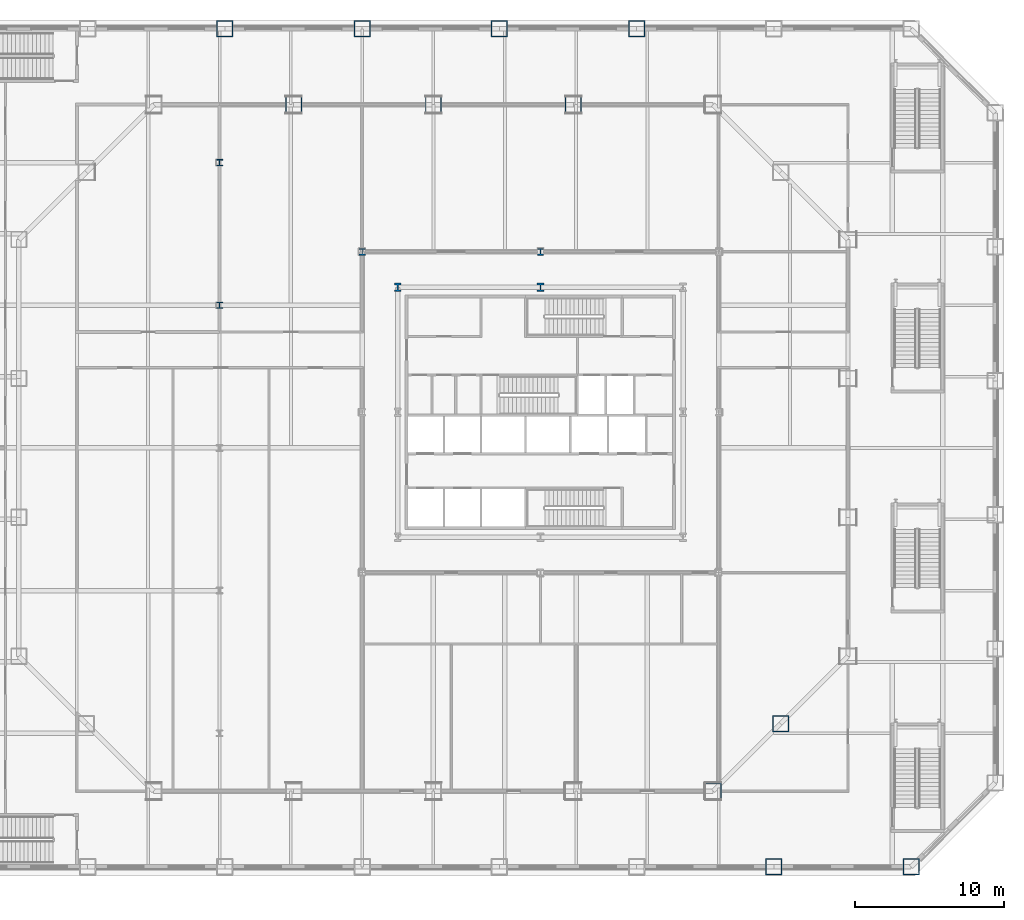
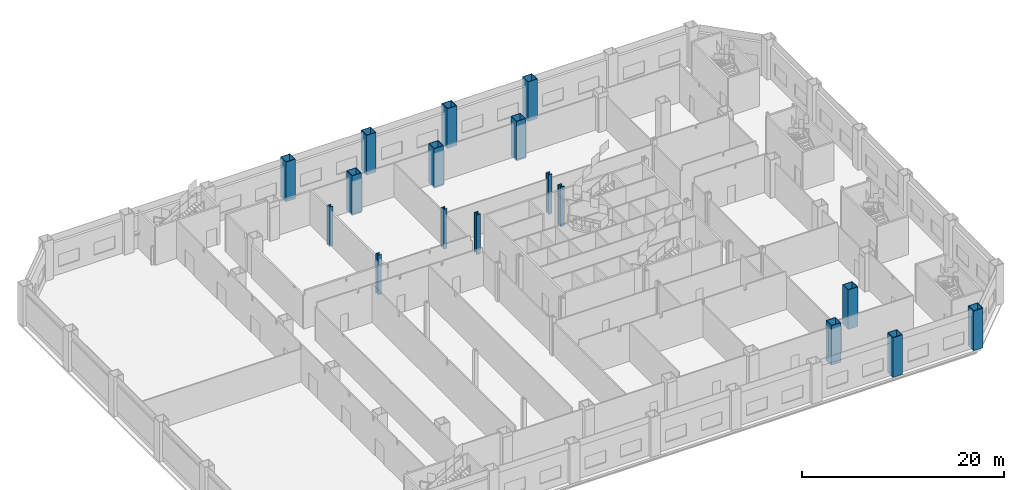
# One storey, part 4 of 25: 17 columns.
"""IFC4 building model written with IfcOpenShell, lengths in metres."""

from ifc_helpers import new_model, si_unit, direction, frame, origin, origin_2d, place, context, subcontext, project, spatial, hollow_rectangle, i_section, extrude, material, material_profile, profile_set, type_object, element, save


model = new_model("IFC4")

# Units and contexts
model_context = context("Model", 3, precision=1e-05, world=origin(), true_north=direction((0.0, 1.0)))
body_context = subcontext(model_context, "Body", "Model", "MODEL_VIEW")
ifc_project = project(units=[si_unit("LENGTHUNIT", "METRE"), si_unit("AREAUNIT", "SQUARE_METRE"), si_unit("VOLUMEUNIT", "CUBIC_METRE"), si_unit("PLANEANGLEUNIT", "RADIAN"), si_unit("MASSUNIT", "GRAM", prefix="KILO")], contexts=[model_context])

# Site, building, storey
site_placement = place(None, origin())
site = spatial("IfcSite", under=ifc_project, at=site_placement, CompositionType="ELEMENT")
building_placement = place(site_placement, origin())
building = spatial("IfcBuilding", under=site, at=building_placement, Name="Cairn Pilgrim Tower", CompositionType="ELEMENT")
storey_placement = place(building_placement, frame((0.0, 0.0, 30.60009765625)))
storey = spatial("IfcBuildingStorey", under=building, at=storey_placement, Name="L05", CompositionType="ELEMENT", Elevation=30.60009765625)

# Columns
ifc_material = material(Name="Structural steel S460M", Category="steel")
ifc_material_profile_1 = material_profile(ifc_material, hollow_rectangle(XDim=1.10009765625, YDim=1.10009765625, WallThickness=0.06005859375, at=origin_2d()), Name="BOX 1100x1100x60")
ifc_profile_set_1 = profile_set([ifc_material_profile_1], Name="Structural steel S460M")
column_type_1 = type_object("IfcColumnType", Name="BOX 1100x1100x60", PredefinedType="COLUMN", material=ifc_profile_set_1)
for number, where, z_axis, x_axis, name in (
    (1, (18.8271484375, -23.10009765625, -0.2001953125), (0.0, 0.0, 1.0), (1.0, 0.0, 0.0), "PC1-SE1"),
    (2, (23.363525390625, -18.563720703125, -0.2001953125), (0.0, 0.0, 1.0), (1.0, 0.0, 0.0), "PC1-SE2"),
    (3, (9.41357421875, 23.10009765625, -0.2001953125), (0.0, 0.0, 1.0), (1.0, 0.0, 0.0), "PC1-N2"),
    (4, (0.0, 23.10009765625, -0.2001953125), (0.0, 0.0, 1.0), (1.0, 0.0, 0.0), "PC1-N3"),
    (5, (-9.41357421875, 23.10009765625, -0.2001953125), (0.0, 0.0, 1.0), (1.0, 0.0, 0.0), "PC1-N4"),
):
    element("IfcColumn", number, at=place(storey_placement, frame(where, z_axis=z_axis, x_axis=x_axis)), inside=storey, type_object=column_type_1, Name=name, PredefinedType="COLUMN", context=body_context, shape_type="SweptSolid", body=[
        extrude(hollow_rectangle(XDim=1.10009765625, YDim=1.10009765625, WallThickness=0.06005859375, at=origin_2d()), origin(), (0.0, 0.0, 1.0), 4.800048828125),
    ])
ifc_material_profile_2 = material_profile(ifc_material, i_section(OverallWidth=0.4541015625, OverallDepth=0.569091796875, WebThickness=0.077880859375, FlangeThickness=0.125, FilletRadius=0.014892578125, at=origin_2d()), Name="HD 400x1086")
ifc_profile_set_2 = profile_set([ifc_material_profile_2], Name="Structural steel S460M")
column_type_2 = type_object("IfcColumnType", Name="HD 400x1086", PredefinedType="COLUMN", material=ifc_profile_set_2)
for number, where, z_axis, x_axis, name in (
    (6, (-2.39990234375, 10.800048828125, -0.2001953125), (0.0, 0.0, 1.0), (1.0, 0.0, 0.0), "KC-6"),
    (7, (7.199951171875, 10.800048828125, -0.2001953125), (0.0, 0.0, 1.0), (1.0, 0.0, 0.0), "KC-7"),
):
    element("IfcColumn", number, at=place(storey_placement, frame(where, z_axis=z_axis, x_axis=x_axis)), inside=storey, type_object=column_type_2, Name=name, PredefinedType="COLUMN", context=body_context, shape_type="SweptSolid", body=[
        extrude(i_section(OverallWidth=0.4541015625, OverallDepth=0.569091796875, WebThickness=0.077880859375, FlangeThickness=0.125, FilletRadius=0.014892578125, at=origin_2d()), origin(), (0.0, 0.0, 1.0), 4.800048828125),
    ])
ifc_material_profile_3 = material_profile(ifc_material, i_section(OverallWidth=0.408935546875, OverallDepth=0.425048828125, WebThickness=0.03271484375, FlangeThickness=0.052490234375, FilletRadius=0.014892578125, at=origin_2d()), Name="HD 400x421")
ifc_profile_set_3 = profile_set([ifc_material_profile_3], Name="Structural steel S460M")
column_type_3 = type_object("IfcColumnType", Name="HD 400x421", PredefinedType="COLUMN", material=ifc_profile_set_3)
for number, where, z_axis, x_axis, name in (
    (8, (-14.39990234375, 9.60009765625, -0.2001953125), (0.0, 0.0, 1.0), (1.0, 0.0, 0.0), "WC-WW+2"),
    (9, (-14.39990234375, 19.199951171875, -0.2001953125), (0.0, 0.0, 1.0), (1.0, 0.0, 0.0), "WC-WW+4"),
):
    element("IfcColumn", number, at=place(storey_placement, frame(where, z_axis=z_axis, x_axis=x_axis)), inside=storey, type_object=column_type_3, Name=name, PredefinedType="COLUMN", context=body_context, shape_type="SweptSolid", body=[
        extrude(i_section(OverallWidth=0.408935546875, OverallDepth=0.425048828125, WebThickness=0.03271484375, FlangeThickness=0.052490234375, FilletRadius=0.014892578125, at=origin_2d()), origin(), (0.0, 0.0, 1.0), 4.800048828125),
    ])
ifc_material_profile_4 = material_profile(ifc_material, i_section(OverallWidth=0.424072265625, OverallDepth=0.47412109375, WebThickness=0.047607421875, FlangeThickness=0.0771484375, FilletRadius=0.014892578125, at=origin_2d()), Name="HD 400x634")
ifc_profile_set_4 = profile_set([ifc_material_profile_4], Name="Structural steel S460M")
column_type_4 = type_object("IfcColumnType", Name="HD 400x634", PredefinedType="COLUMN", material=ifc_profile_set_4)
for number, where, z_axis, x_axis, name in (
    (10, (-4.800048828125, 13.199951171875, -0.2001953125), (0.0, 0.0, 1.0), (1.0, 0.0, 0.0), "IC-6"),
    (11, (7.199951171875, 13.199951171875, -0.2001953125), (0.0, 0.0, 1.0), (1.0, 0.0, 0.0), "IC-7"),
):
    element("IfcColumn", number, at=place(storey_placement, frame(where, z_axis=z_axis, x_axis=x_axis)), inside=storey, type_object=column_type_4, Name=name, PredefinedType="COLUMN", context=body_context, shape_type="SweptSolid", body=[
        extrude(i_section(OverallWidth=0.424072265625, OverallDepth=0.47412109375, WebThickness=0.047607421875, FlangeThickness=0.0771484375, FilletRadius=0.014892578125, at=origin_2d()), origin(), (0.0, 0.0, 1.0), 4.800048828125),
    ])
ifc_material_profile_5 = material_profile(ifc_material, hollow_rectangle(XDim=1.10009765625, YDim=1.10009765625, WallThickness=0.06005859375, at=origin_2d()), Name="BOX 1100x1100x60")
ifc_profile_set_5 = profile_set([ifc_material_profile_5], Name="Structural steel S460M")
column_type_5 = type_object("IfcColumnType", Name="PILOTIS CFT 1100", PredefinedType="COLUMN", material=ifc_profile_set_5)
for number, where, z_axis, x_axis, name in (
    (12, (22.91357421875, -28.199951171875, 0.0), (0.0, 0.0, 1.0), (1.0, 0.0, 0.0), "PILOTIS PL-S8"),
    (13, (32.151611328125, -28.199951171875, 0.0), (0.0, 0.0, 1.0), (1.0, 0.0, 0.0), "PILOTIS PL-SE1"),
    (14, (13.67578125, 28.199951171875, 0.0), (0.0, 0.0, 1.0), (1.0, 0.0, 0.0), "PILOTIS PL-N3"),
    (15, (4.43798828125, 28.199951171875, 0.0), (0.0, 0.0, 1.0), (1.0, 0.0, 0.0), "PILOTIS PL-N4"),
    (16, (-4.800048828125, 28.199951171875, 0.0), (0.0, 0.0, 1.0), (1.0, 0.0, 0.0), "PILOTIS PL-N5"),
    (17, (-14.037841796875, 28.199951171875, 0.0), (0.0, 0.0, 1.0), (1.0, 0.0, 0.0), "PILOTIS PL-N6"),
):
    element("IfcColumn", number, at=place(storey_placement, frame(where, z_axis=z_axis, x_axis=x_axis)), inside=storey, type_object=column_type_5, Name=name, PredefinedType="COLUMN", context=body_context, shape_type="SweptSolid", body=[
        extrude(hollow_rectangle(XDim=1.10009765625, YDim=1.10009765625, WallThickness=0.06005859375, at=origin_2d()), origin(), (0.0, 0.0, 1.0), 4.7998046875),
    ])

save(model, "model.ifc")
